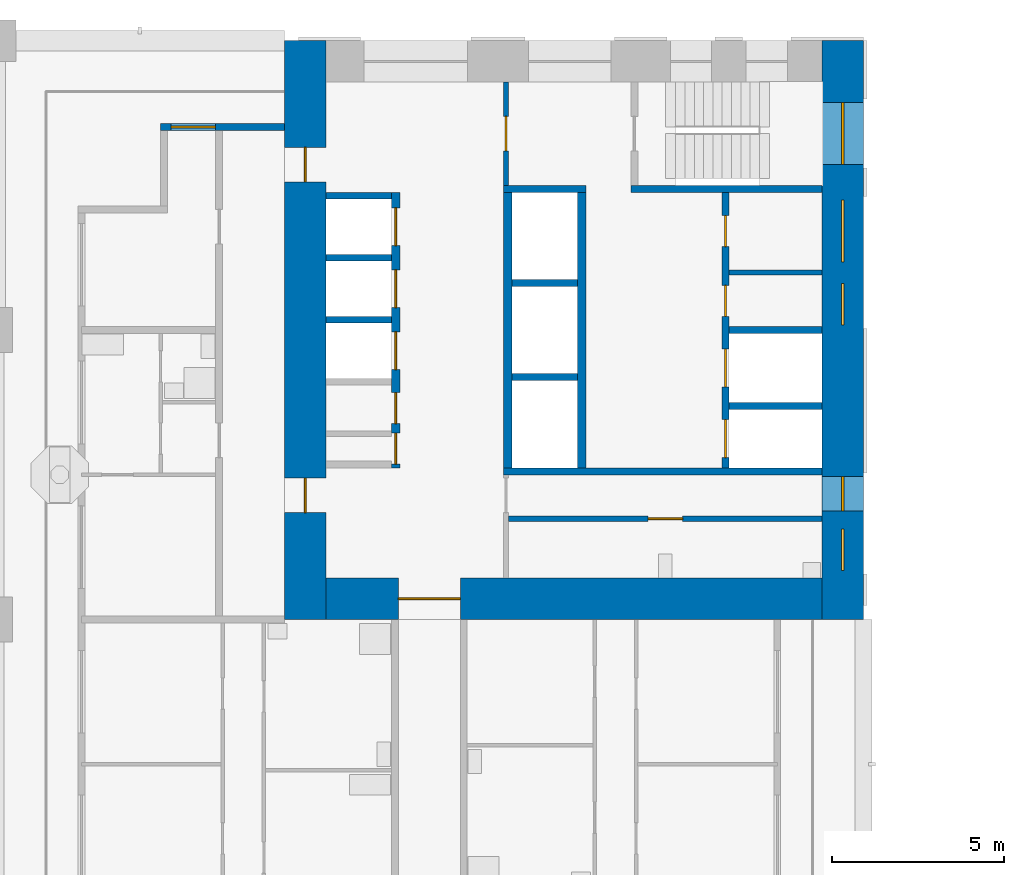
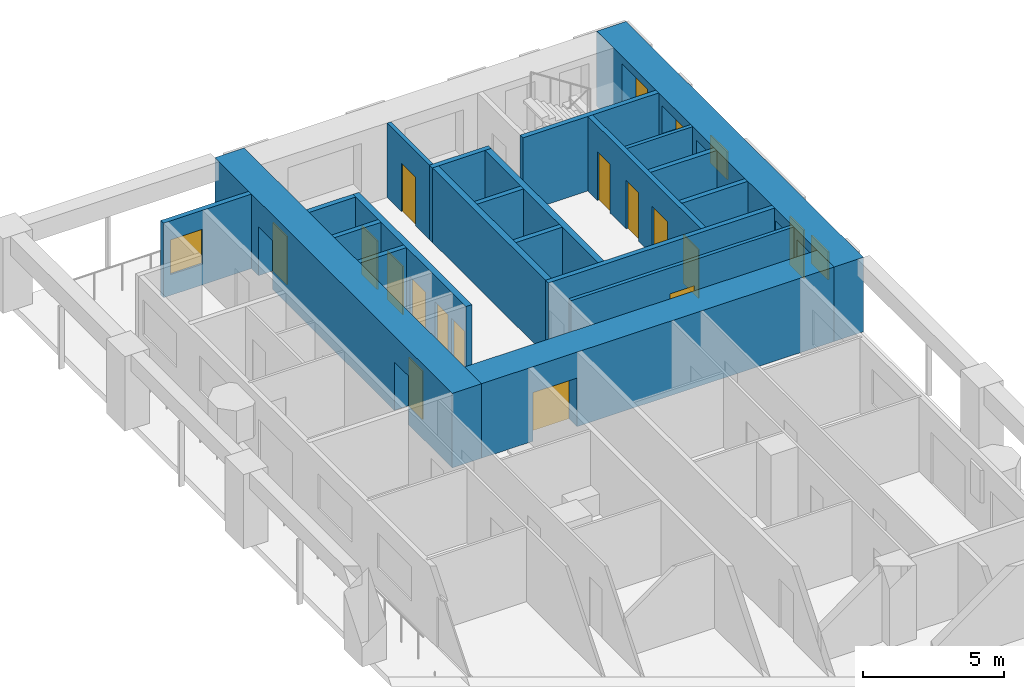
# One storey, part 7 of 18: 21 walls, 14 doors, 6 windows, 20 openings.
"""IFC4 building model written with IfcOpenShell, lengths in metres."""

from ifc_helpers import new_model, si_unit, direction, frame, frame_2d, origin, place, context, subcontext, project, spatial, rectangle, extrude, material, layer, layer_set, type_object, element, fill, save


model = new_model("IFC4")

# Units and contexts
model_context = context("Model", 3, precision=1e-05, world=origin(), true_north=direction((0.0, 1.0)))
body_context = subcontext(model_context, "Body", "Model", "MODEL_VIEW")
ifc_project = project(units=[si_unit("LENGTHUNIT", "METRE"), si_unit("AREAUNIT", "SQUARE_METRE"), si_unit("VOLUMEUNIT", "CUBIC_METRE"), si_unit("PLANEANGLEUNIT", "RADIAN"), si_unit("MASSUNIT", "GRAM", prefix="KILO")], contexts=[model_context])

# Site, building, storey
site_placement = place(None, origin())
site = spatial("IfcSite", under=ifc_project, at=site_placement, CompositionType="ELEMENT")
building_placement = place(site_placement, origin())
building = spatial("IfcBuilding", under=site, at=building_placement, Name="Vermilion Gate Residences", CompositionType="ELEMENT")
storey_placement = place(building_placement, frame((0.0, 0.0, 105.699951171875)))
storey = spatial("IfcBuildingStorey", under=building, at=storey_placement, Name="L26", CompositionType="ELEMENT", Elevation=105.699951171875)

# Wall
ifc_material_1 = material(Name="Masonry blockwork", Category="masonry")
ifc_layer_1 = layer(ifc_material_1, 0.14990234375)
ifc_layer_set_1 = layer_set([ifc_layer_1], Name="BLOCKWORK PARTITION 150 EI 120")
wall_type_1 = type_object("IfcWallType", Name="BLOCKWORK PARTITION 150 EI 120", PredefinedType="PARTITIONING", material=ifc_layer_set_1)
wall_1_placement = place(storey_placement, frame((21.300048828125, 52.074951171875, 0.0), z_axis=(0.0, 0.0, 1.0), x_axis=(1.0, 0.0, 0.0)))
element("IfcWall", 1, at=wall_1_placement, inside=storey, type_object=wall_type_1, Name="Core room partition B26-NR-P0", PredefinedType="PARTITIONING", context=body_context, shape_type="SweptSolid", body=[
    extrude(rectangle(XDim=2.699951171875, YDim=0.14990234375, at=frame_2d((1.35009765625, 0.0))), origin(), (0.0, 0.0, 1.0), 3.219970703125),
])

# Wall, opening, door
wall_2_placement = place(storey_placement, frame((14.824951171875, 57.60009765625, 0.0), z_axis=(0.0, 0.0, 1.0), x_axis=(0.0, -1.0, 0.0)))
wall_2 = element("IfcWall", 2, at=wall_2_placement, inside=storey, type_object=wall_type_1, Name="Core room partition B26-VW-S", PredefinedType="PARTITIONING", context=body_context, shape_type="SweptSolid", body=[
    extrude(rectangle(XDim=3.0, YDim=0.14990234375, at=frame_2d((1.5, 0.0))), origin(), (0.0, 0.0, 1.0), 3.219970703125),
])
opening_1_placement = place(wall_2_placement, frame((1.0, 0.0, 0.0)))
opening_1 = element("IfcOpeningElement", 3, at=opening_1_placement, cuts=wall_2, Name="Opening DK26113", PredefinedType="OPENING", context=body_context, shape_type="SweptSolid", body=[
    extrude(rectangle(XDim=1.0, YDim=2.10009765625, at=frame_2d((0.5, 1.050048828125))), frame((0.0, 0.0849609375, 0.0), z_axis=(0.0, -1.0, 0.0), x_axis=(1.0, 0.0, 0.0)), (0.0, 0.0, 1.0), 0.169921875),
])
ifc_material_2 = material(Name="Steel", Category="steel")
door_type_1 = type_object("IfcDoorType", Name="FIRE DOOR FD60 1000 X 2100", OperationType="SINGLE_SWING_LEFT", PredefinedType="DOOR", material=ifc_material_2)
door_1_placement = place(opening_1_placement, frame((1.0, 0.0, 0.0), z_axis=(0.0, 0.0, 1.0), x_axis=(-1.0, 0.0, 0.0)))
door_1 = element("IfcDoor", 4, at=door_1_placement, inside=storey, type_object=door_type_1, Name="Stair vestibule door B26", OperationType="SINGLE_SWING_RIGHT", OverallHeight=2.10009765625, OverallWidth=1.0, PredefinedType="DOOR", context=body_context, shape_type="SweptSolid", body=[
    extrude(rectangle(XDim=1.0, YDim=2.10009765625, at=frame_2d((0.5, 1.050048828125))), frame((0.0, 0.02490234375, 0.0), z_axis=(0.0, -1.0, 0.0), x_axis=(1.0, 0.0, 0.0)), (0.0, 0.0, 1.0), 0.050048828125),
])
fill(opening_1, door_1)

wall_3_placement = place(storey_placement, frame((14.89990234375, 44.925048828125, 0.0), z_axis=(0.0, 0.0, 1.0), x_axis=(1.0, 0.0, 0.0)))
wall_3 = element("IfcWall", 5, at=wall_3_placement, inside=storey, type_object=wall_type_1, Name="Core room partition B26-ES-W", PredefinedType="PARTITIONING", context=body_context, shape_type="SweptSolid", body=[
    extrude(rectangle(XDim=9.10009765625, YDim=0.14990234375, at=frame_2d((4.550048828125, 0.0))), origin(), (0.0, 0.0, 1.0), 3.219970703125),
])
opening_2_placement = place(wall_3_placement, frame((4.050048828125, 0.0, 0.0)))
opening_2 = element("IfcOpeningElement", 6, at=opening_2_placement, cuts=wall_3, Name="Opening DK26116", PredefinedType="OPENING", context=body_context, shape_type="SweptSolid", body=[
    extrude(rectangle(XDim=1.0, YDim=2.10009765625, at=frame_2d((0.5, 1.050048828125))), frame((0.0, 0.0849609375, 0.0), z_axis=(0.0, -1.0, 0.0), x_axis=(1.0, 0.0, 0.0)), (0.0, 0.0, 1.0), 0.169921875),
])
door_2_placement = place(opening_2_placement, frame((1.0, 0.0, 0.0), z_axis=(0.0, 0.0, 1.0), x_axis=(-1.0, 0.0, 0.0)))
door_2 = element("IfcDoor", 7, at=door_2_placement, inside=storey, type_object=door_type_1, Name="Accessible WC B26", OperationType="SINGLE_SWING_RIGHT", OverallHeight=2.10009765625, OverallWidth=1.0, PredefinedType="DOOR", context=body_context, shape_type="SweptSolid", body=[
    extrude(rectangle(XDim=1.0, YDim=2.10009765625, at=frame_2d((0.5, 1.050048828125))), frame((0.0, 0.02490234375, 0.0), z_axis=(0.0, -1.0, 0.0), x_axis=(1.0, 0.0, 0.0)), (0.0, 0.0, 1.0), 0.050048828125),
])
fill(opening_2, door_2)

# Wall, opening, window
ifc_material_3 = material(Name="Insulated steel stud wall with terracotta rainscreen", Category="masonry")
ifc_layer_2 = layer(ifc_material_3, 0.199951171875)
ifc_layer_set_2 = layer_set([ifc_layer_2], Name="EXTERNAL WALL 200 TERRACOTTA RAINSCREEN")
wall_type_2 = type_object("IfcWallType", Name="EXTERNAL WALL 200 TERRACOTTA RAINSCREEN", PredefinedType="SOLIDWALL", material=ifc_layer_set_2)
wall_4_placement = place(storey_placement, frame((8.39990234375, 56.300048828125, 0.0), z_axis=(0.0, 0.0, 1.0), x_axis=(-1.0, 0.0, 0.0)))
wall_4 = element("IfcWall", 8, at=wall_4_placement, inside=storey, type_object=wall_type_2, Name="External wall", PredefinedType="SOLIDWALL", context=body_context, shape_type="SweptSolid", body=[
    extrude(rectangle(XDim=3.599853515625, YDim=0.199951171875, at=frame_2d((1.7998046875, 0.0))), origin(), (0.0, 0.0, 1.0), 3.219970703125),
])
opening_3_placement = place(wall_4_placement, frame((2.0, 0.0, 0.89990234375)))
opening_3 = element("IfcOpeningElement", 9, at=opening_3_placement, cuts=wall_4, Name="Opening WE26001", PredefinedType="OPENING", context=body_context, shape_type="SweptSolid", body=[
    extrude(rectangle(XDim=1.300048828125, YDim=1.5, at=frame_2d((0.64990234375, 0.75))), frame((0.0, 0.10986328125, 0.0), z_axis=(0.0, -1.0, 0.0), x_axis=(1.0, 0.0, 0.0)), (0.0, 0.0, 1.0), 0.219970703125),
])
ifc_material_4 = material(Name="Aluminium and clear glass", Category="aluminium")
window_type_1 = type_object("IfcWindowType", Name="WINDOW 1300 X 1500", PartitioningType="SINGLE_PANEL", PredefinedType="WINDOW", material=ifc_material_4)
window_1_placement = place(opening_3_placement, origin())
window_1 = element("IfcWindow", 10, at=window_1_placement, inside=storey, type_object=window_type_1, Name="Window", OverallHeight=1.5, OverallWidth=1.300048828125, PartitioningType="SINGLE_PANEL", PredefinedType="WINDOW", context=body_context, shape_type="SweptSolid", body=[
    extrude(rectangle(XDim=1.300048828125, YDim=1.5, at=frame_2d((0.64990234375, 0.75))), frame((0.0, 0.030029296875, 0.0), z_axis=(0.0, -1.0, 0.0), x_axis=(1.0, 0.0, 0.0)), (0.0, 0.0, 1.0), 0.06005859375),
])
fill(opening_3, window_1)

# Walls
ifc_material_5 = material(Name="Concrete C60", Category="concrete")
ifc_layer_3 = layer(ifc_material_5, 0.199951171875)
ifc_layer_set_3 = layer_set([ifc_layer_3], Name="RC CORE INTERNAL WALL 200 C60")
wall_type_3 = type_object("IfcWallType", Name="RC CORE INTERNAL WALL 200 C60", PredefinedType="SHEAR", material=ifc_layer_set_3)
for number, where, z_axis, x_axis, name in (
    (11, (9.60009765625, 54.300048828125, 0.0), (0.0, 0.0, 1.0), (1.0, 0.0, 0.0), "Core internal wall B26-LR-D0"),
    (12, (9.60009765625, 52.5, 0.0), (0.0, 0.0, 1.0), (1.0, 0.0, 0.0), "Core internal wall B26-LR-D1"),
    (13, (9.60009765625, 50.699951171875, 0.0), (0.0, 0.0, 1.0), (1.0, 0.0, 0.0), "Core internal wall B26-LR-D2"),
    (14, (15.0, 51.7666015625, 0.0), (0.0, 0.0, 1.0), (1.0, 0.0, 0.0), "Core internal wall B26-HR-D1"),
    (15, (15.0, 49.033447265625, 0.0), (0.0, 0.0, 1.0), (1.0, 0.0, 0.0), "Core internal wall B26-HR-D2"),
):
    element("IfcWall", number, at=place(storey_placement, frame(where, z_axis=z_axis, x_axis=x_axis)), inside=storey, type_object=wall_type_3, Name=name, PredefinedType="SHEAR", context=body_context, shape_type="SweptSolid", body=[
        extrude(rectangle(XDim=1.89990234375, YDim=0.199951171875, at=frame_2d((0.949951171875, 0.0))), origin(), (0.0, 0.0, 1.0), 3.219970703125),
    ])
for number, where, z_axis, x_axis, name in (
    (16, (21.300048828125, 50.39990234375, 0.0), (0.0, 0.0, 1.0), (1.0, 0.0, 0.0), "Core internal wall B26-FF-D0"),
    (17, (21.300048828125, 48.199951171875, 0.0), (0.0, 0.0, 1.0), (1.0, 0.0, 0.0), "Core internal wall B26-FF-D1"),
):
    element("IfcWall", number, at=place(storey_placement, frame(where, z_axis=z_axis, x_axis=x_axis)), inside=storey, type_object=wall_type_3, Name=name, PredefinedType="SHEAR", context=body_context, shape_type="SweptSolid", body=[
        extrude(rectangle(XDim=2.699951171875, YDim=0.199951171875, at=frame_2d((1.35009765625, 0.0))), origin(), (0.0, 0.0, 1.0), 3.219970703125),
    ])

# Wall, openings, doors
wall_5_placement = place(storey_placement, frame((21.199951171875, 54.39990234375, 0.0), z_axis=(0.0, 0.0, 1.0), x_axis=(0.0, -1.0, 0.0)))
wall_5 = element("IfcWall", 18, at=wall_5_placement, inside=storey, type_object=wall_type_3, Name="Core internal wall B26-FF-F", PredefinedType="SHEAR", context=body_context, shape_type="SweptSolid", body=[
    extrude(rectangle(XDim=8.0, YDim=0.199951171875, at=frame_2d((4.0, 0.0))), origin(), (0.0, 0.0, 1.0), 3.219970703125),
])
opening_4_placement = place(wall_5_placement, frame((0.675048828125, 0.0, 0.0)))
opening_4 = element("IfcOpeningElement", 19, at=opening_4_placement, cuts=wall_5, Name="Opening DK26109", PredefinedType="OPENING", context=body_context, shape_type="SweptSolid", body=[
    extrude(rectangle(XDim=0.89990234375, YDim=2.10009765625, at=frame_2d((0.449951171875, 1.050048828125))), frame((0.0, 0.10986328125, 0.0), z_axis=(0.0, -1.0, 0.0), x_axis=(1.0, 0.0, 0.0)), (0.0, 0.0, 1.0), 0.219970703125),
])
opening_5_placement = place(wall_5_placement, frame((2.699951171875, 0.0, 0.0)))
opening_5 = element("IfcOpeningElement", 20, at=opening_5_placement, cuts=wall_5, Name="Opening DK26110", PredefinedType="OPENING", context=body_context, shape_type="SweptSolid", body=[
    extrude(rectangle(XDim=0.89990234375, YDim=2.10009765625, at=frame_2d((0.449951171875, 1.050048828125))), frame((0.0, 0.10986328125, 0.0), z_axis=(0.0, -1.0, 0.0), x_axis=(1.0, 0.0, 0.0)), (0.0, 0.0, 1.0), 0.219970703125),
])
opening_6_placement = place(wall_5_placement, frame((4.550048828125, 0.0, 0.0)))
opening_6 = element("IfcOpeningElement", 21, at=opening_6_placement, cuts=wall_5, Name="Opening LD", PredefinedType="OPENING", context=body_context, shape_type="SweptSolid", body=[
    extrude(rectangle(XDim=1.10009765625, YDim=2.10009765625, at=frame_2d((0.550048828125, 1.050048828125))), frame((0.0, 0.10986328125, 0.0), z_axis=(0.0, -1.0, 0.0), x_axis=(1.0, 0.0, 0.0)), (0.0, 0.0, 1.0), 0.219970703125),
])
opening_7_placement = place(wall_5_placement, frame((6.60009765625, 0.0, 0.0)))
opening_7 = element("IfcOpeningElement", 22, at=opening_7_placement, cuts=wall_5, Name="Opening LD", PredefinedType="OPENING", context=body_context, shape_type="SweptSolid", body=[
    extrude(rectangle(XDim=1.10009765625, YDim=2.10009765625, at=frame_2d((0.550048828125, 1.050048828125))), frame((0.0, 0.10986328125, 0.0), z_axis=(0.0, -1.0, 0.0), x_axis=(1.0, 0.0, 0.0)), (0.0, 0.0, 1.0), 0.219970703125),
])
ifc_material_6 = material(Name="Stainless steel", Category="steel")
door_type_2 = type_object("IfcDoorType", Name="LIFT LANDING DOOR E60 1100 X 2100", OperationType="DOUBLE_DOOR_SLIDING", PredefinedType="DOOR", material=ifc_material_6)
door_3_placement = place(opening_6_placement, origin())
door_3 = element("IfcDoor", 23, at=door_3_placement, inside=storey, type_object=door_type_2, Name="Lift landing door LFB1", OperationType="DOUBLE_DOOR_SLIDING", OverallHeight=2.10009765625, OverallWidth=1.10009765625, PredefinedType="DOOR", context=body_context, shape_type="SweptSolid", body=[
    extrude(rectangle(XDim=1.10009765625, YDim=2.10009765625, at=frame_2d((0.550048828125, 1.050048828125))), frame((0.0, 0.02490234375, 0.0), z_axis=(0.0, -1.0, 0.0), x_axis=(1.0, 0.0, 0.0)), (0.0, 0.0, 1.0), 0.050048828125),
])
fill(opening_6, door_3)
door_4_placement = place(opening_7_placement, origin())
door_4 = element("IfcDoor", 24, at=door_4_placement, inside=storey, type_object=door_type_2, Name="Lift landing door LCB1", OperationType="DOUBLE_DOOR_SLIDING", OverallHeight=2.10009765625, OverallWidth=1.10009765625, PredefinedType="DOOR", context=body_context, shape_type="SweptSolid", body=[
    extrude(rectangle(XDim=1.10009765625, YDim=2.10009765625, at=frame_2d((0.550048828125, 1.050048828125))), frame((0.0, 0.02490234375, 0.0), z_axis=(0.0, -1.0, 0.0), x_axis=(1.0, 0.0, 0.0)), (0.0, 0.0, 1.0), 0.050048828125),
])
fill(opening_7, door_4)
ifc_material_7 = material(Name="Steel", Category="steel")
door_type_3 = type_object("IfcDoorType", Name="SERVICE ROOM DOOR FD60 900 X 2100", OperationType="SINGLE_SWING_LEFT", PredefinedType="DOOR", material=ifc_material_7)
door_5_placement = place(opening_4_placement, origin())
door_5 = element("IfcDoor", 25, at=door_5_placement, inside=storey, type_object=door_type_3, Name="Housekeeping store B26", OperationType="SINGLE_SWING_RIGHT", OverallHeight=2.10009765625, OverallWidth=0.89990234375, PredefinedType="DOOR", context=body_context, shape_type="SweptSolid", body=[
    extrude(rectangle(XDim=0.89990234375, YDim=2.10009765625, at=frame_2d((0.449951171875, 1.050048828125))), frame((0.0, 0.02490234375, 0.0), z_axis=(0.0, -1.0, 0.0), x_axis=(1.0, 0.0, 0.0)), (0.0, 0.0, 1.0), 0.050048828125),
])
fill(opening_4, door_5)
door_6_placement = place(opening_5_placement, origin())
door_6 = element("IfcDoor", 26, at=door_6_placement, inside=storey, type_object=door_type_3, Name="Mail room B26", OperationType="SINGLE_SWING_RIGHT", OverallHeight=2.10009765625, OverallWidth=0.89990234375, PredefinedType="DOOR", context=body_context, shape_type="SweptSolid", body=[
    extrude(rectangle(XDim=0.89990234375, YDim=2.10009765625, at=frame_2d((0.449951171875, 1.050048828125))), frame((0.0, 0.02490234375, 0.0), z_axis=(0.0, -1.0, 0.0), x_axis=(1.0, 0.0, 0.0)), (0.0, 0.0, 1.0), 0.050048828125),
])
fill(opening_5, door_6)

# Walls
wall_6_placement = place(storey_placement, frame((14.75, 54.5, 0.0), z_axis=(0.0, 0.0, 1.0), x_axis=(1.0, 0.0, 0.0)))
element("IfcWall", 27, at=wall_6_placement, inside=storey, type_object=wall_type_3, Name="Core internal wall B26-WDIV1", PredefinedType="SHEAR", context=body_context, shape_type="SweptSolid", body=[
    extrude(rectangle(XDim=2.39990234375, YDim=0.199951171875, at=frame_2d((1.199951171875, 0.0))), origin(), (0.0, 0.0, 1.0), 3.219970703125),
])
wall_7_placement = place(storey_placement, frame((18.449951171875, 54.5, 0.0), z_axis=(0.0, 0.0, 1.0), x_axis=(1.0, 0.0, 0.0)))
element("IfcWall", 28, at=wall_7_placement, inside=storey, type_object=wall_type_3, Name="Core internal wall B26-WDIV2", PredefinedType="SHEAR", context=body_context, shape_type="SweptSolid", body=[
    extrude(rectangle(XDim=5.550048828125, YDim=0.199951171875, at=frame_2d((2.77490234375, 0.0))), origin(), (0.0, 0.0, 1.0), 3.219970703125),
])
wall_8_placement = place(storey_placement, frame((14.75, 46.300048828125, 0.0), z_axis=(0.0, 0.0, 1.0), x_axis=(1.0, 0.0, 0.0)))
element("IfcWall", 29, at=wall_8_placement, inside=storey, type_object=wall_type_3, Name="Core internal wall B26-EDIV", PredefinedType="SHEAR", context=body_context, shape_type="SweptSolid", body=[
    extrude(rectangle(XDim=9.25, YDim=0.199951171875, at=frame_2d((4.625, 0.0))), origin(), (0.0, 0.0, 1.0), 3.219970703125),
])

# Wall, openings, doors
ifc_material_8 = material(Name="Concrete C70", Category="concrete")
ifc_layer_4 = layer(ifc_material_8, 1.199951171875)
ifc_layer_set_4 = layer_set([ifc_layer_4], Name="RC CORE WALL 1200 C70")
wall_type_4 = type_object("IfcWallType", Name="RC CORE WALL 1200 C70", PredefinedType="SHEAR", material=ifc_layer_set_4)
wall_9_placement = place(storey_placement, frame((9.0, 58.800048828125, 0.0), z_axis=(0.0, 0.0, 1.0), x_axis=(0.0, -1.0, 0.0)))
wall_9 = element("IfcWall", 30, at=wall_9_placement, inside=storey, type_object=wall_type_4, Name="Core wall B26-OUT-B0", PredefinedType="SHEAR", context=body_context, shape_type="SweptSolid", body=[
    extrude(rectangle(XDim=16.800048828125, YDim=1.199951171875, at=frame_2d((8.39990234375, 0.0))), origin(), (0.0, 0.0, 1.0), 3.219970703125),
])
opening_8_placement = place(wall_9_placement, frame((3.10009765625, 0.0, 0.0)))
opening_8 = element("IfcOpeningElement", 31, at=opening_8_placement, cuts=wall_9, Name="Opening DK26101", PredefinedType="OPENING", context=body_context, shape_type="SweptSolid", body=[
    extrude(rectangle(XDim=1.0, YDim=2.10009765625, at=frame_2d((0.5, 1.050048828125))), frame((0.0, 0.60986328125, 0.0), z_axis=(0.0, -1.0, 0.0), x_axis=(1.0, 0.0, 0.0)), (0.0, 0.0, 1.0), 1.219970703125),
])
opening_9_placement = place(wall_9_placement, frame((12.699951171875, 0.0, 0.0)))
opening_9 = element("IfcOpeningElement", 32, at=opening_9_placement, cuts=wall_9, Name="Opening DK26102", PredefinedType="OPENING", context=body_context, shape_type="SweptSolid", body=[
    extrude(rectangle(XDim=1.0, YDim=2.10009765625, at=frame_2d((0.5, 1.050048828125))), frame((0.0, 0.60986328125, 0.0), z_axis=(0.0, -1.0, 0.0), x_axis=(1.0, 0.0, 0.0)), (0.0, 0.0, 1.0), 1.219970703125),
])
door_7_placement = place(opening_8_placement, origin())
door_7 = element("IfcDoor", 33, at=door_7_placement, inside=storey, type_object=door_type_1, Name="Core lobby side door B26", OperationType="SINGLE_SWING_RIGHT", OverallHeight=2.10009765625, OverallWidth=1.0, PredefinedType="DOOR", context=body_context, shape_type="SweptSolid", body=[
    extrude(rectangle(XDim=1.0, YDim=2.10009765625, at=frame_2d((0.5, 1.050048828125))), frame((0.0, 0.02490234375, 0.0), z_axis=(0.0, -1.0, 0.0), x_axis=(1.0, 0.0, 0.0)), (0.0, 0.0, 1.0), 0.050048828125),
])
fill(opening_8, door_7)
door_8_placement = place(opening_9_placement, origin())
door_8 = element("IfcDoor", 34, at=door_8_placement, inside=storey, type_object=door_type_1, Name="Core lobby side door B26", OperationType="SINGLE_SWING_LEFT", OverallHeight=2.10009765625, OverallWidth=1.0, PredefinedType="DOOR", context=body_context, shape_type="SweptSolid", body=[
    extrude(rectangle(XDim=1.0, YDim=2.10009765625, at=frame_2d((0.5, 1.050048828125))), frame((0.0, 0.02490234375, 0.0), z_axis=(0.0, -1.0, 0.0), x_axis=(1.0, 0.0, 0.0)), (0.0, 0.0, 1.0), 0.050048828125),
])
fill(opening_9, door_8)

# Wall, opening, door
wall_10_placement = place(storey_placement, frame((9.60009765625, 42.60009765625, 0.0), z_axis=(0.0, 0.0, 1.0), x_axis=(1.0, 0.0, 0.0)))
wall_10 = element("IfcWall", 35, at=wall_10_placement, inside=storey, type_object=wall_type_4, Name="Core wall B26-OUT-BK", PredefinedType="SHEAR", context=body_context, shape_type="SweptSolid", body=[
    extrude(rectangle(XDim=14.39990234375, YDim=1.199951171875, at=frame_2d((7.199951171875, 0.0))), origin(), (0.0, 0.0, 1.0), 3.219970703125),
])
opening_10_placement = place(wall_10_placement, frame((2.10009765625, 0.0, 0.0)))
opening_10 = element("IfcOpeningElement", 36, at=opening_10_placement, cuts=wall_10, Name="Opening DK26103", PredefinedType="OPENING", context=body_context, shape_type="SweptSolid", body=[
    extrude(rectangle(XDim=1.800048828125, YDim=2.10009765625, at=frame_2d((0.89990234375, 1.050048828125))), frame((0.0, 0.60986328125, 0.0), z_axis=(0.0, -1.0, 0.0), x_axis=(1.0, 0.0, 0.0)), (0.0, 0.0, 1.0), 1.219970703125),
])
ifc_material_9 = material(Name="Steel", Category="steel")
door_type_4 = type_object("IfcDoorType", Name="CORE LOBBY DOOR FD60 1800 X 2100", OperationType="DOUBLE_DOOR_SINGLE_SWING", PredefinedType="DOOR", material=ifc_material_9)
door_9_placement = place(opening_10_placement, origin())
door_9 = element("IfcDoor", 37, at=door_9_placement, inside=storey, type_object=door_type_4, Name="Core lobby door B26", OperationType="DOUBLE_DOOR_SINGLE_SWING", OverallHeight=2.10009765625, OverallWidth=1.800048828125, PredefinedType="DOOR", context=body_context, shape_type="SweptSolid", body=[
    extrude(rectangle(XDim=1.800048828125, YDim=2.10009765625, at=frame_2d((0.89990234375, 1.050048828125))), frame((0.0, 0.02490234375, 0.0), z_axis=(0.0, -1.0, 0.0), x_axis=(1.0, 0.0, 0.0)), (0.0, 0.0, 1.0), 0.050048828125),
])
fill(opening_10, door_9)

# Wall, openings, windows
ifc_material_10 = material(Name="Concrete C70 red-oxide pigmented", Category="concrete")
ifc_layer_5 = layer(ifc_material_10, 1.199951171875)
ifc_layer_set_5 = layer_set([ifc_layer_5], Name="RC CORE WALL 1200 C70 RED OXIDE")
wall_type_5 = type_object("IfcWallType", Name="RC CORE WALL 1200 C70 RED OXIDE", PredefinedType="SHEAR", material=ifc_layer_set_5)
wall_11_placement = place(storey_placement, frame((24.60009765625, 58.800048828125, 0.0), z_axis=(0.0, 0.0, 1.0), x_axis=(0.0, -1.0, 0.0)))
wall_11 = element("IfcWall", 38, at=wall_11_placement, inside=storey, type_object=wall_type_5, Name="Core wall B26-OUT-B1", PredefinedType="SHEAR", context=body_context, shape_type="SweptSolid", body=[
    extrude(rectangle(XDim=16.800048828125, YDim=1.199951171875, at=frame_2d((8.39990234375, 0.0))), origin(), (0.0, 0.0, 1.0), 3.219970703125),
])
opening_11_placement = place(wall_11_placement, frame((1.800048828125, 0.0, 0.5)))
opening_11 = element("IfcOpeningElement", 39, at=opening_11_placement, cuts=wall_11, Name="Opening WKB2601", PredefinedType="OPENING", context=body_context, shape_type="SweptSolid", body=[
    extrude(rectangle(XDim=1.800048828125, YDim=2.39990234375, at=frame_2d((0.89990234375, 1.199951171875))), frame((0.0, 0.60986328125, 0.0), z_axis=(0.0, -1.0, 0.0), x_axis=(1.0, 0.0, 0.0)), (0.0, 0.0, 1.0), 1.219970703125),
])
opening_12_placement = place(wall_11_placement, frame((4.625, 0.0, 1.60009765625)))
opening_12 = element("IfcOpeningElement", 40, at=opening_12_placement, cuts=wall_11, Name="Opening WKB2602", PredefinedType="OPENING", context=body_context, shape_type="SweptSolid", body=[
    extrude(rectangle(XDim=1.800048828125, YDim=1.199951171875, at=frame_2d((0.89990234375, 0.60009765625))), frame((0.0, 0.60986328125, 0.0), z_axis=(0.0, -1.0, 0.0), x_axis=(1.0, 0.0, 0.0)), (0.0, 0.0, 1.0), 1.219970703125),
])
opening_13_placement = place(wall_11_placement, frame((7.050048828125, 0.0, 1.60009765625)))
opening_13 = element("IfcOpeningElement", 41, at=opening_13_placement, cuts=wall_11, Name="Opening WKB2603", PredefinedType="OPENING", context=body_context, shape_type="SweptSolid", body=[
    extrude(rectangle(XDim=1.199951171875, YDim=1.199951171875, at=frame_2d((0.60009765625, 0.60009765625))), frame((0.0, 0.60986328125, 0.0), z_axis=(0.0, -1.0, 0.0), x_axis=(1.0, 0.0, 0.0)), (0.0, 0.0, 1.0), 1.219970703125),
])
opening_14_placement = place(wall_11_placement, frame((12.64990234375, 0.0, 0.60009765625)))
opening_14 = element("IfcOpeningElement", 42, at=opening_14_placement, cuts=wall_11, Name="Opening WKB2604", PredefinedType="OPENING", context=body_context, shape_type="SweptSolid", body=[
    extrude(rectangle(XDim=1.0, YDim=2.10009765625, at=frame_2d((0.5, 1.050048828125))), frame((0.0, 0.60986328125, 0.0), z_axis=(0.0, -1.0, 0.0), x_axis=(1.0, 0.0, 0.0)), (0.0, 0.0, 1.0), 1.219970703125),
])
opening_15_placement = place(wall_11_placement, frame((14.175048828125, 0.0, 1.60009765625)))
opening_15 = element("IfcOpeningElement", 43, at=opening_15_placement, cuts=wall_11, Name="Opening WKB2605", PredefinedType="OPENING", context=body_context, shape_type="SweptSolid", body=[
    extrude(rectangle(XDim=1.199951171875, YDim=1.199951171875, at=frame_2d((0.60009765625, 0.60009765625))), frame((0.0, 0.60986328125, 0.0), z_axis=(0.0, -1.0, 0.0), x_axis=(1.0, 0.0, 0.0)), (0.0, 0.0, 1.0), 1.219970703125),
])
ifc_material_11 = material(Name="Aluminium and clear glass", Category="aluminium")
window_type_2 = type_object("IfcWindowType", Name="CORE CORRIDOR WINDOW 1000 X 2100", PartitioningType="SINGLE_PANEL", PredefinedType="WINDOW", material=ifc_material_11)
window_2_placement = place(opening_14_placement, origin())
window_2 = element("IfcWindow", 44, at=window_2_placement, inside=storey, type_object=window_type_2, Name="Core corridor window", OverallHeight=2.10009765625, OverallWidth=1.0, PartitioningType="SINGLE_PANEL", PredefinedType="WINDOW", context=body_context, shape_type="SweptSolid", body=[
    extrude(rectangle(XDim=1.0, YDim=2.10009765625, at=frame_2d((0.5, 1.050048828125))), frame((0.0, 0.030029296875, 0.0), z_axis=(0.0, -1.0, 0.0), x_axis=(1.0, 0.0, 0.0)), (0.0, 0.0, 1.0), 0.06005859375),
])
fill(opening_14, window_2)
ifc_material_12 = material(Name="Aluminium frame with louvre blades", Category="aluminium")
window_type_3 = type_object("IfcWindowType", Name="CORE LOUVRE 1200 X 1200", PartitioningType="SINGLE_PANEL", PredefinedType="WINDOW", material=ifc_material_12)
window_3_placement = place(opening_13_placement, origin())
window_3 = element("IfcWindow", 45, at=window_3_placement, inside=storey, type_object=window_type_3, Name="Core louvre", OverallHeight=1.199951171875, OverallWidth=1.199951171875, PartitioningType="SINGLE_PANEL", PredefinedType="WINDOW", context=body_context, shape_type="SweptSolid", body=[
    extrude(rectangle(XDim=1.199951171875, YDim=1.199951171875, at=frame_2d((0.60009765625, 0.60009765625))), frame((0.0, 0.030029296875, 0.0), z_axis=(0.0, -1.0, 0.0), x_axis=(1.0, 0.0, 0.0)), (0.0, 0.0, 1.0), 0.06005859375),
])
fill(opening_13, window_3)
window_4_placement = place(opening_15_placement, origin())
window_4 = element("IfcWindow", 46, at=window_4_placement, inside=storey, type_object=window_type_3, Name="Core louvre", OverallHeight=1.199951171875, OverallWidth=1.199951171875, PartitioningType="SINGLE_PANEL", PredefinedType="WINDOW", context=body_context, shape_type="SweptSolid", body=[
    extrude(rectangle(XDim=1.199951171875, YDim=1.199951171875, at=frame_2d((0.60009765625, 0.60009765625))), frame((0.0, 0.030029296875, 0.0), z_axis=(0.0, -1.0, 0.0), x_axis=(1.0, 0.0, 0.0)), (0.0, 0.0, 1.0), 0.06005859375),
])
fill(opening_15, window_4)
ifc_material_13 = material(Name="Aluminium frame with louvre blades", Category="aluminium")
window_type_4 = type_object("IfcWindowType", Name="CORE LOUVRE 1800 X 1200", PartitioningType="SINGLE_PANEL", PredefinedType="WINDOW", material=ifc_material_13)
window_5_placement = place(opening_12_placement, origin())
window_5 = element("IfcWindow", 47, at=window_5_placement, inside=storey, type_object=window_type_4, Name="Core louvre", OverallHeight=1.199951171875, OverallWidth=1.800048828125, PartitioningType="SINGLE_PANEL", PredefinedType="WINDOW", context=body_context, shape_type="SweptSolid", body=[
    extrude(rectangle(XDim=1.800048828125, YDim=1.199951171875, at=frame_2d((0.89990234375, 0.60009765625))), frame((0.0, 0.030029296875, 0.0), z_axis=(0.0, -1.0, 0.0), x_axis=(1.0, 0.0, 0.0)), (0.0, 0.0, 1.0), 0.06005859375),
])
fill(opening_12, window_5)
ifc_material_14 = material(Name="Aluminium and clear glass", Category="aluminium")
window_type_5 = type_object("IfcWindowType", Name="CORE STAIR WINDOW 1800 X 2400", PartitioningType="SINGLE_PANEL", PredefinedType="WINDOW", material=ifc_material_14)
window_6_placement = place(opening_11_placement, origin())
window_6 = element("IfcWindow", 48, at=window_6_placement, inside=storey, type_object=window_type_5, Name="Core stair window", OverallHeight=2.39990234375, OverallWidth=1.800048828125, PartitioningType="SINGLE_PANEL", PredefinedType="WINDOW", context=body_context, shape_type="SweptSolid", body=[
    extrude(rectangle(XDim=1.800048828125, YDim=2.39990234375, at=frame_2d((0.89990234375, 1.199951171875))), frame((0.0, 0.030029296875, 0.0), z_axis=(0.0, -1.0, 0.0), x_axis=(1.0, 0.0, 0.0)), (0.0, 0.0, 1.0), 0.06005859375),
])
fill(opening_11, window_6)

# Wall, openings, doors
ifc_material_15 = material(Name="Concrete C60", Category="concrete")
ifc_layer_6 = layer(ifc_material_15, 0.25)
ifc_layer_set_6 = layer_set([ifc_layer_6], Name="RC LIFT SHAFT WALL 250 C60")
wall_type_6 = type_object("IfcWallType", Name="RC LIFT SHAFT WALL 250 C60", PredefinedType="SHEAR", material=ifc_layer_set_6)
wall_12_placement = place(storey_placement, frame((11.625, 54.39990234375, 0.0), z_axis=(0.0, 0.0, 1.0), x_axis=(0.0, -1.0, 0.0)))
wall_12 = element("IfcWall", 49, at=wall_12_placement, inside=storey, type_object=wall_type_6, Name="Lift shaft wall B26-LR-F", PredefinedType="SHEAR", context=body_context, shape_type="SweptSolid", body=[
    extrude(rectangle(XDim=8.0, YDim=0.25, at=frame_2d((4.0, 0.0))), origin(), (0.0, 0.0, 1.0), 3.219970703125),
])
opening_16_placement = place(wall_12_placement, frame((0.449951171875, 0.0, 0.0)))
opening_16 = element("IfcOpeningElement", 50, at=opening_16_placement, cuts=wall_12, Name="Opening LD", PredefinedType="OPENING", context=body_context, shape_type="SweptSolid", body=[
    extrude(rectangle(XDim=1.10009765625, YDim=2.10009765625, at=frame_2d((0.550048828125, 1.050048828125))), frame((0.0, 0.135009765625, 0.0), z_axis=(0.0, -1.0, 0.0), x_axis=(1.0, 0.0, 0.0)), (0.0, 0.0, 1.0), 0.27001953125),
])
opening_17_placement = place(wall_12_placement, frame((2.25, 0.0, 0.0)))
opening_17 = element("IfcOpeningElement", 51, at=opening_17_placement, cuts=wall_12, Name="Opening LD", PredefinedType="OPENING", context=body_context, shape_type="SweptSolid", body=[
    extrude(rectangle(XDim=1.10009765625, YDim=2.10009765625, at=frame_2d((0.550048828125, 1.050048828125))), frame((0.0, 0.135009765625, 0.0), z_axis=(0.0, -1.0, 0.0), x_axis=(1.0, 0.0, 0.0)), (0.0, 0.0, 1.0), 0.27001953125),
])
opening_18_placement = place(wall_12_placement, frame((4.050048828125, 0.0, 0.0)))
opening_18 = element("IfcOpeningElement", 52, at=opening_18_placement, cuts=wall_12, Name="Opening LD", PredefinedType="OPENING", context=body_context, shape_type="SweptSolid", body=[
    extrude(rectangle(XDim=1.10009765625, YDim=2.10009765625, at=frame_2d((0.550048828125, 1.050048828125))), frame((0.0, 0.135009765625, 0.0), z_axis=(0.0, -1.0, 0.0), x_axis=(1.0, 0.0, 0.0)), (0.0, 0.0, 1.0), 0.27001953125),
])
opening_19_placement = place(wall_12_placement, frame((5.816162109375, 0.0, 0.0)))
opening_19 = element("IfcOpeningElement", 53, at=opening_19_placement, cuts=wall_12, Name="Opening DK26107", PredefinedType="OPENING", context=body_context, shape_type="SweptSolid", body=[
    extrude(rectangle(XDim=0.89990234375, YDim=2.10009765625, at=frame_2d((0.449951171875, 1.050048828125))), frame((0.0, 0.135009765625, 0.0), z_axis=(0.0, -1.0, 0.0), x_axis=(1.0, 0.0, 0.0)), (0.0, 0.0, 1.0), 0.27001953125),
])
opening_20_placement = place(wall_12_placement, frame((6.9912109375, 0.0, 0.0)))
opening_20 = element("IfcOpeningElement", 54, at=opening_20_placement, cuts=wall_12, Name="Opening DK26108", PredefinedType="OPENING", context=body_context, shape_type="SweptSolid", body=[
    extrude(rectangle(XDim=0.89990234375, YDim=2.10009765625, at=frame_2d((0.449951171875, 1.050048828125))), frame((0.0, 0.135009765625, 0.0), z_axis=(0.0, -1.0, 0.0), x_axis=(1.0, 0.0, 0.0)), (0.0, 0.0, 1.0), 0.27001953125),
])
door_10_placement = place(opening_16_placement, origin())
door_10 = element("IfcDoor", 55, at=door_10_placement, inside=storey, type_object=door_type_2, Name="Lift landing door LRB1", OperationType="DOUBLE_DOOR_SLIDING", OverallHeight=2.10009765625, OverallWidth=1.10009765625, PredefinedType="DOOR", context=body_context, shape_type="SweptSolid", body=[
    extrude(rectangle(XDim=1.10009765625, YDim=2.10009765625, at=frame_2d((0.550048828125, 1.050048828125))), frame((0.0, 0.02490234375, 0.0), z_axis=(0.0, -1.0, 0.0), x_axis=(1.0, 0.0, 0.0)), (0.0, 0.0, 1.0), 0.050048828125),
])
fill(opening_16, door_10)
door_11_placement = place(opening_17_placement, origin())
door_11 = element("IfcDoor", 56, at=door_11_placement, inside=storey, type_object=door_type_2, Name="Lift landing door LRB2", OperationType="DOUBLE_DOOR_SLIDING", OverallHeight=2.10009765625, OverallWidth=1.10009765625, PredefinedType="DOOR", context=body_context, shape_type="SweptSolid", body=[
    extrude(rectangle(XDim=1.10009765625, YDim=2.10009765625, at=frame_2d((0.550048828125, 1.050048828125))), frame((0.0, 0.02490234375, 0.0), z_axis=(0.0, -1.0, 0.0), x_axis=(1.0, 0.0, 0.0)), (0.0, 0.0, 1.0), 0.050048828125),
])
fill(opening_17, door_11)
door_12_placement = place(opening_18_placement, origin())
door_12 = element("IfcDoor", 57, at=door_12_placement, inside=storey, type_object=door_type_2, Name="Lift landing door LRB3", OperationType="DOUBLE_DOOR_SLIDING", OverallHeight=2.10009765625, OverallWidth=1.10009765625, PredefinedType="DOOR", context=body_context, shape_type="SweptSolid", body=[
    extrude(rectangle(XDim=1.10009765625, YDim=2.10009765625, at=frame_2d((0.550048828125, 1.050048828125))), frame((0.0, 0.02490234375, 0.0), z_axis=(0.0, -1.0, 0.0), x_axis=(1.0, 0.0, 0.0)), (0.0, 0.0, 1.0), 0.050048828125),
])
fill(opening_18, door_12)
door_13_placement = place(opening_19_placement, frame((0.89990234375, 0.0, 0.0), z_axis=(0.0, 0.0, 1.0), x_axis=(-1.0, 0.0, 0.0)))
door_13 = element("IfcDoor", 58, at=door_13_placement, inside=storey, type_object=door_type_3, Name="Housekeeping store B26", OperationType="SINGLE_SWING_LEFT", OverallHeight=2.10009765625, OverallWidth=0.89990234375, PredefinedType="DOOR", context=body_context, shape_type="SweptSolid", body=[
    extrude(rectangle(XDim=0.89990234375, YDim=2.10009765625, at=frame_2d((0.449951171875, 1.050048828125))), frame((0.0, 0.02490234375, 0.0), z_axis=(0.0, -1.0, 0.0), x_axis=(1.0, 0.0, 0.0)), (0.0, 0.0, 1.0), 0.050048828125),
])
fill(opening_19, door_13)
door_14_placement = place(opening_20_placement, origin())
door_14 = element("IfcDoor", 59, at=door_14_placement, inside=storey, type_object=door_type_3, Name="Fire equipment store B26", OperationType="SINGLE_SWING_LEFT", OverallHeight=2.10009765625, OverallWidth=0.89990234375, PredefinedType="DOOR", context=body_context, shape_type="SweptSolid", body=[
    extrude(rectangle(XDim=0.89990234375, YDim=2.10009765625, at=frame_2d((0.449951171875, 1.050048828125))), frame((0.0, 0.02490234375, 0.0), z_axis=(0.0, -1.0, 0.0), x_axis=(1.0, 0.0, 0.0)), (0.0, 0.0, 1.0), 0.050048828125),
])
fill(opening_20, door_14)

# Walls
for number, where, z_axis, x_axis, name in (
    (60, (14.875, 54.39990234375, 0.0), (0.0, 0.0, 1.0), (0.0, -1.0, 0.0), "Lift shaft wall B26-HR-F"),
    (61, (17.02490234375, 54.39990234375, 0.0), (0.0, 0.0, 1.0), (0.0, -1.0, 0.0), "Lift shaft wall B26-HR-B"),
):
    element("IfcWall", number, at=place(storey_placement, frame(where, z_axis=z_axis, x_axis=x_axis)), inside=storey, type_object=wall_type_6, Name=name, PredefinedType="SHEAR", context=body_context, shape_type="SweptSolid", body=[
        extrude(rectangle(XDim=8.0, YDim=0.25, at=frame_2d((4.0, 0.0))), origin(), (0.0, 0.0, 1.0), 3.219970703125),
    ])

save(model, "model.ifc")
